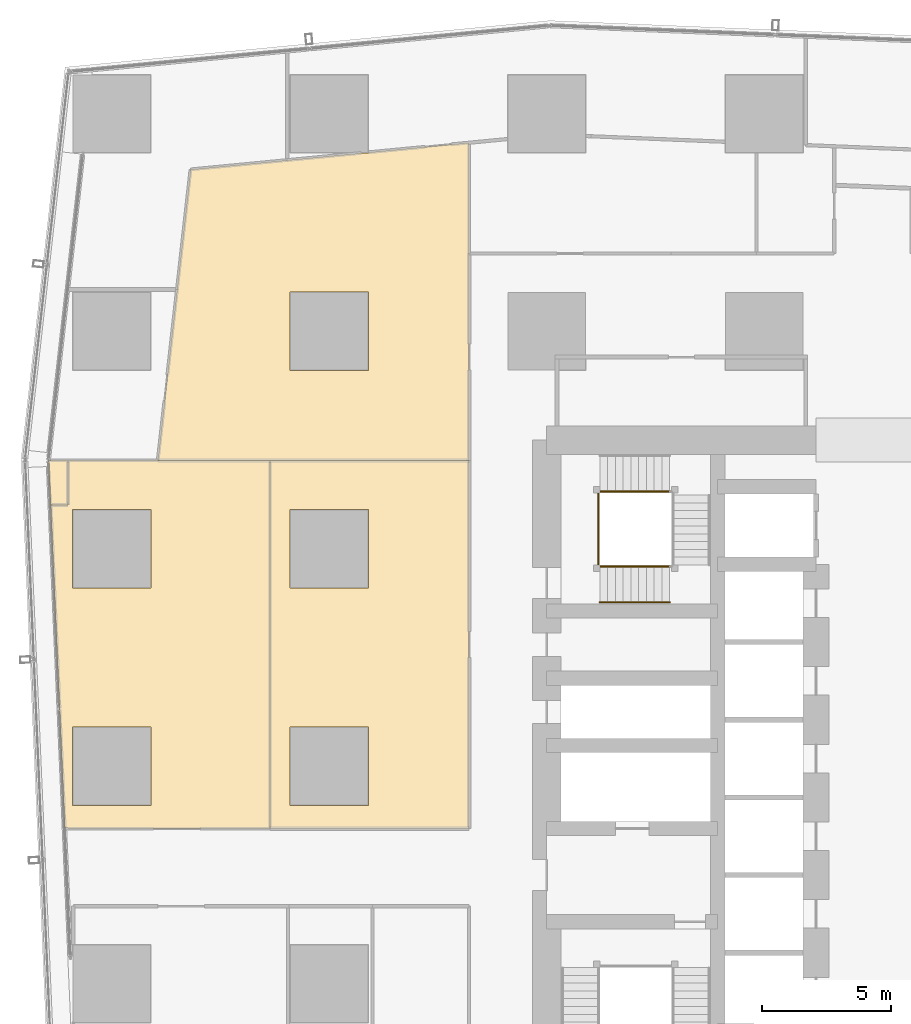
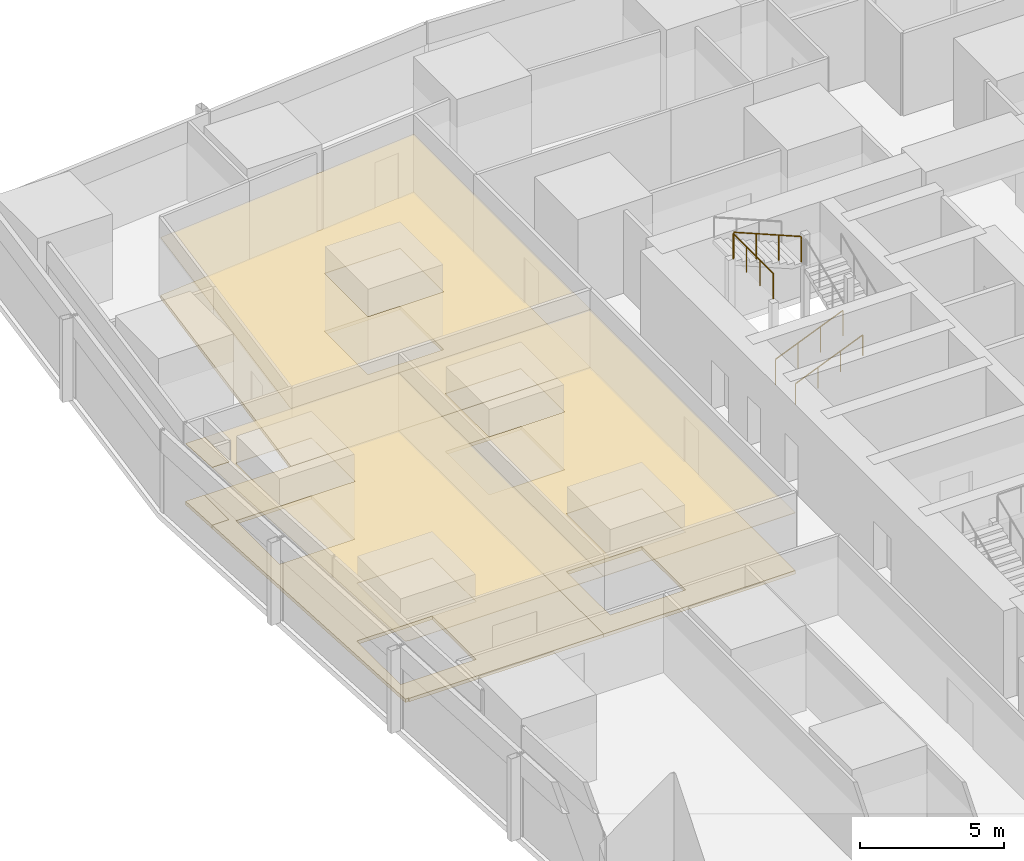
# One storey, part 41 of 45: 8 coverings, 4 railings.
"""IFC4 building model written with IfcOpenShell, lengths in metres."""

from ifc_helpers import new_model, si_unit, direction, frame, origin, origin_2d, place, context, subcontext, project, spatial, polyline, circle, outline, extrude, material, layer, layer_set, type_object, element, save


model = new_model("IFC4")

# Units and contexts
model_context = context("Model", 3, precision=1e-05, world=origin(), true_north=direction((0.0, 1.0)))
body_context = subcontext(model_context, "Body", "Model", "MODEL_VIEW")
ifc_project = project(units=[si_unit("LENGTHUNIT", "METRE"), si_unit("AREAUNIT", "SQUARE_METRE"), si_unit("VOLUMEUNIT", "CUBIC_METRE"), si_unit("PLANEANGLEUNIT", "RADIAN"), si_unit("MASSUNIT", "GRAM", prefix="KILO")], contexts=[model_context])

# Site, building, storey
site_placement = place(None, origin())
site = spatial("IfcSite", under=ifc_project, at=site_placement, CompositionType="ELEMENT")
building_placement = place(site_placement, origin())
building = spatial("IfcBuilding", under=site, at=building_placement, Name="Rekha Terrace Tower", CompositionType="ELEMENT")
storey_placement = place(building_placement, frame((0.0, 0.0, 77.89990234375)))
storey = spatial("IfcBuildingStorey", under=building, at=storey_placement, Name="L19", CompositionType="ELEMENT", Elevation=77.89990234375)

# Coverings
ifc_material_1 = material(Name="Mineral fibre tile in exposed grid", Category="finish")
ifc_layer_1 = layer(ifc_material_1, 0.02001953125)
ifc_layer_set_1 = layer_set([ifc_layer_1], Name="Mineral fibre tile in exposed grid")
covering_type_1 = type_object("IfcCoveringType", Name="CL1 600x1200 office grid ceiling", PredefinedType="CEILING", material=ifc_layer_set_1)
covering_1_placement = place(storey_placement, frame((0.0, 0.0, 2.580078125)))
element("IfcCovering", 1, at=covering_1_placement, inside=storey, type_object=covering_type_1, Name="Ceiling L19-O3b", PredefinedType="CEILING", context=body_context, shape_type="SweptSolid", body=[
    extrude(outline(polyline([(10.927978515625, 52.012939453125), (10.18603515625, 45.410888671875), (22.199951171875, 45.410888671875), (22.199951171875, 57.679931640625), (18.31494140625, 57.306884765625), (18.31494140625, 57.284912109375), (18.090087890625, 57.284912109375), (15.160888671875, 57.00390625), (11.448974609375, 56.64599609375), (10.927978515625, 52.012939453125)]), holes=[polyline([(18.31494140625, 48.885009765625), (15.284912109375, 48.885009765625), (15.284912109375, 51.9150390625), (18.31494140625, 51.9150390625), (18.31494140625, 48.885009765625)])]), origin(), (0.0, 0.0, 1.0), 0.02001953125),
])
covering_2_placement = place(storey_placement, frame((0.0, 0.0, 2.580078125)))
element("IfcCovering", 2, at=covering_2_placement, inside=storey, type_object=covering_type_1, Name="Ceiling L19-O3b", PredefinedType="CEILING", context=body_context, shape_type="SweptSolid", body=[
    extrude(outline(polyline([(6.717041015625, 43.694091796875), (6.717041015625, 45.412109375), (5.964111328125, 45.412109375), (6.0400390625, 43.694091796875), (6.717041015625, 43.694091796875)])), origin(), (0.0, 0.0, 1.0), 0.02001953125),
])
covering_3_placement = place(storey_placement, frame((0.0, 0.0, 2.580078125)))
element("IfcCovering", 3, at=covering_3_placement, inside=storey, type_object=covering_type_1, Name="Ceiling L19-23", PredefinedType="CEILING", context=body_context, shape_type="SweptSolid", body=[
    extrude(outline(polyline([(6.717041015625, 31.22509765625), (6.717041015625, 31.199951171875), (14.51708984375, 31.199951171875), (14.51708984375, 45.410888671875), (6.717041015625, 45.410888671875), (6.717041015625, 43.694091796875), (6.0400390625, 43.694091796875), (6.404052734375, 35.362060546875), (6.5849609375, 31.22509765625), (6.717041015625, 31.22509765625)]), holes=[polyline([(9.9150390625, 32.0849609375), (6.885009765625, 32.0849609375), (6.885009765625, 35.114990234375), (9.9150390625, 35.114990234375), (9.9150390625, 32.0849609375)]), polyline([(9.9150390625, 40.485107421875), (6.885009765625, 40.485107421875), (6.885009765625, 43.514892578125), (9.9150390625, 43.514892578125), (9.9150390625, 40.485107421875)])]), origin(), (0.0, 0.0, 1.0), 0.02001953125),
])
covering_4_placement = place(storey_placement, frame((0.0, 0.0, 2.580078125)))
element("IfcCovering", 4, at=covering_4_placement, inside=storey, type_object=covering_type_1, Name="Ceiling L19-O4", PredefinedType="CEILING", context=body_context, shape_type="SweptSolid", body=[
    extrude(outline(polyline([(14.51708984375, 45.410888671875), (14.51708984375, 31.199951171875), (22.199951171875, 31.199951171875), (22.199951171875, 45.410888671875), (14.51708984375, 45.410888671875)]), holes=[polyline([(18.31494140625, 32.0849609375), (15.284912109375, 32.0849609375), (15.284912109375, 35.114990234375), (18.31494140625, 35.114990234375), (18.31494140625, 32.0849609375)]), polyline([(18.31494140625, 40.485107421875), (15.284912109375, 40.485107421875), (15.284912109375, 43.514892578125), (18.31494140625, 43.514892578125), (18.31494140625, 40.485107421875)])]), origin(), (0.0, 0.0, 1.0), 0.02001953125),
])

# Railings
ifc_material_2 = material(Name="Stainless steel balustrade", Category="steel")
railing_type_1 = type_object("IfcRailingType", Name="GR1 1100 stair guard", PredefinedType="GUARDRAIL", material=ifc_material_2)
railing_1_placement = place(storey_placement, frame((27.25, 41.31494140625, 0.125)))
element("IfcRailing", 5, at=railing_1_placement, inside=storey, type_object=railing_type_1, Name="Guard ST4 L19 flight 1", PredefinedType="GUARDRAIL", context=body_context, shape_type="SweptSolid", body=[
    extrude(circle(Radius=0.02392578125, at=origin_2d()), frame((0.0, 0.0, 1.076171875), z_axis=(0.923074453586, 0.0, 0.384621311341), x_axis=(0.0, 1.0, 0.0)), (0.0, 0.0, 1.0), 2.925048828125),
    extrude(circle(Radius=0.02099609375, at=origin_2d()), origin(), (0.0, 0.0, 1.0), 1.052001953125),
    extrude(circle(Radius=0.02099609375, at=origin_2d()), frame((0.89990234375, 0.0, 0.375)), (0.0, 0.0, 1.0), 1.052001953125),
    extrude(circle(Radius=0.02099609375, at=origin_2d()), frame((1.800048828125, 0.0, 0.75)), (0.0, 0.0, 1.0), 1.052001953125),
    extrude(circle(Radius=0.02099609375, at=origin_2d()), frame((2.699951171875, 0.0, 1.125)), (0.0, 0.0, 1.0), 1.052001953125),
])
railing_2_placement = place(storey_placement, frame((29.949951171875, 44.2099609375, 2.625)))
element("IfcRailing", 6, at=railing_2_placement, inside=storey, type_object=railing_type_1, Name="Guard ST4 L19 flight 3", PredefinedType="GUARDRAIL", context=body_context, shape_type="SweptSolid", body=[
    extrude(circle(Radius=0.02392578125, at=origin_2d()), frame((0.0, 0.0, 1.076171875), z_axis=(-0.923074453586, 0.0, 0.384621311341), x_axis=(0.0, -1.0, 0.0)), (0.0, 0.0, 1.0), 2.925048828125),
    extrude(circle(Radius=0.02099609375, at=origin_2d()), origin(), (0.0, 0.0, 1.0), 1.052001953125),
    extrude(circle(Radius=0.02099609375, at=origin_2d()), frame((-0.89990234375, 0.0, 0.375)), (0.0, 0.0, 1.0), 1.052001953125),
    extrude(circle(Radius=0.02099609375, at=origin_2d()), frame((-1.800048828125, 0.0, 0.75)), (0.0, 0.0, 1.0), 1.052001953125),
    extrude(circle(Radius=0.02099609375, at=origin_2d()), frame((-2.699951171875, 0.0, 1.125)), (0.0, 0.0, 1.0), 1.052001953125),
])
railing_3_placement = place(storey_placement, frame((27.18994140625, 41.375, 3.75)))
element("IfcRailing", 7, at=railing_3_placement, inside=storey, type_object=railing_type_1, Name="Guard ST4 L19 landing 4", PredefinedType="GUARDRAIL", context=body_context, shape_type="SweptSolid", body=[
    extrude(circle(Radius=0.02392578125, at=origin_2d()), frame((0.0, 0.0, 1.076171875), z_axis=(0.0, 1.0, 0.0), x_axis=(-1.0, 0.0, 0.0)), (0.0, 0.0, 1.0), 2.77490234375),
    extrude(circle(Radius=0.02099609375, at=origin_2d()), origin(), (0.0, 0.0, 1.0), 1.052001953125),
    extrude(circle(Radius=0.02099609375, at=origin_2d()), frame((0.0, 0.925048828125, 0.0)), (0.0, 0.0, 1.0), 1.052001953125),
    extrude(circle(Radius=0.02099609375, at=origin_2d()), frame((0.0, 1.849853515625, 0.0)), (0.0, 0.0, 1.0), 1.052001953125),
    extrude(circle(Radius=0.02099609375, at=origin_2d()), frame((0.0, 2.77490234375, 0.0)), (0.0, 0.0, 1.0), 1.052001953125),
])
ifc_material_3 = material(Name="Stainless steel tube", Category="steel")
railing_type_2 = type_object("IfcRailingType", Name="HR1 900 stair handrail", PredefinedType="HANDRAIL", material=ifc_material_3)
railing_4_placement = place(storey_placement, frame((27.25, 39.93505859375, 0.125)))
element("IfcRailing", 8, at=railing_4_placement, inside=storey, type_object=railing_type_2, Name="Handrail ST4 L19 flight 1", PredefinedType="HANDRAIL", context=body_context, shape_type="SweptSolid", body=[
    extrude(circle(Radius=0.02392578125, at=origin_2d()), frame((0.0, 0.0, 0.8759765625), z_axis=(0.923074453586, 0.0, 0.384621311341), x_axis=(0.0, 1.0, 0.0)), (0.0, 0.0, 1.0), 2.925048828125),
    extrude(circle(Radius=0.02099609375, at=origin_2d()), origin(), (0.0, 0.0, 1.0), 0.851806640625),
    extrude(circle(Radius=0.02099609375, at=origin_2d()), frame((0.89990234375, 0.0, 0.375)), (0.0, 0.0, 1.0), 0.851806640625),
    extrude(circle(Radius=0.02099609375, at=origin_2d()), frame((1.800048828125, 0.0, 0.75)), (0.0, 0.0, 1.0), 0.851806640625),
    extrude(circle(Radius=0.02099609375, at=origin_2d()), frame((2.699951171875, 0.0, 1.125)), (0.0, 0.0, 1.0), 0.851806640625),
])

# Coverings
ifc_material_4 = material(Name="Calcium sulphate panels on steel pedestals", Category="steel")
ifc_layer_2 = layer(ifc_material_4, 0.14990234375)
ifc_layer_set_2 = layer_set([ifc_layer_2], Name="Calcium sulphate panels on steel pedestals")
covering_type_2 = type_object("IfcCoveringType", Name="RF1 150 raised access floor", PredefinedType="FLOORING", material=ifc_layer_set_2)
covering_5_placement = place(storey_placement, origin())
element("IfcCovering", 9, at=covering_5_placement, inside=storey, type_object=covering_type_2, Name="Raised floor L19-O3b", PredefinedType="FLOORING", context=body_context, shape_type="SweptSolid", body=[
    extrude(outline(polyline([(10.927978515625, 52.012939453125), (10.18603515625, 45.410888671875), (22.199951171875, 45.410888671875), (22.199951171875, 57.679931640625), (18.31494140625, 57.306884765625), (18.31494140625, 57.284912109375), (18.090087890625, 57.284912109375), (15.160888671875, 57.00390625), (11.448974609375, 56.64599609375), (10.927978515625, 52.012939453125)]), holes=[polyline([(18.31494140625, 48.885009765625), (15.284912109375, 48.885009765625), (15.284912109375, 51.9150390625), (18.31494140625, 51.9150390625), (18.31494140625, 48.885009765625)])]), origin(), (0.0, 0.0, 1.0), 0.150146484375),
])
covering_6_placement = place(storey_placement, origin())
element("IfcCovering", 10, at=covering_6_placement, inside=storey, type_object=covering_type_2, Name="Raised floor L19-O3b", PredefinedType="FLOORING", context=body_context, shape_type="SweptSolid", body=[
    extrude(outline(polyline([(6.717041015625, 43.694091796875), (6.717041015625, 45.412109375), (5.964111328125, 45.412109375), (6.0400390625, 43.694091796875), (6.717041015625, 43.694091796875)])), origin(), (0.0, 0.0, 1.0), 0.150146484375),
])
covering_7_placement = place(storey_placement, origin())
element("IfcCovering", 11, at=covering_7_placement, inside=storey, type_object=covering_type_2, Name="Raised floor L19-23", PredefinedType="FLOORING", context=body_context, shape_type="SweptSolid", body=[
    extrude(outline(polyline([(6.717041015625, 31.22509765625), (6.717041015625, 31.199951171875), (14.51708984375, 31.199951171875), (14.51708984375, 45.410888671875), (6.717041015625, 45.410888671875), (6.717041015625, 43.694091796875), (6.0400390625, 43.694091796875), (6.404052734375, 35.362060546875), (6.5849609375, 31.22509765625), (6.717041015625, 31.22509765625)]), holes=[polyline([(9.9150390625, 32.0849609375), (6.885009765625, 32.0849609375), (6.885009765625, 35.114990234375), (9.9150390625, 35.114990234375), (9.9150390625, 32.0849609375)]), polyline([(9.9150390625, 40.485107421875), (6.885009765625, 40.485107421875), (6.885009765625, 43.514892578125), (9.9150390625, 43.514892578125), (9.9150390625, 40.485107421875)])]), origin(), (0.0, 0.0, 1.0), 0.150146484375),
])
covering_8_placement = place(storey_placement, origin())
element("IfcCovering", 12, at=covering_8_placement, inside=storey, type_object=covering_type_2, Name="Raised floor L19-O4", PredefinedType="FLOORING", context=body_context, shape_type="SweptSolid", body=[
    extrude(outline(polyline([(14.51708984375, 45.410888671875), (14.51708984375, 31.199951171875), (22.199951171875, 31.199951171875), (22.199951171875, 45.410888671875), (14.51708984375, 45.410888671875)]), holes=[polyline([(18.31494140625, 32.0849609375), (15.284912109375, 32.0849609375), (15.284912109375, 35.114990234375), (18.31494140625, 35.114990234375), (18.31494140625, 32.0849609375)]), polyline([(18.31494140625, 40.485107421875), (15.284912109375, 40.485107421875), (15.284912109375, 43.514892578125), (18.31494140625, 43.514892578125), (18.31494140625, 40.485107421875)])]), origin(), (0.0, 0.0, 1.0), 0.150146484375),
])

save(model, "model.ifc")
